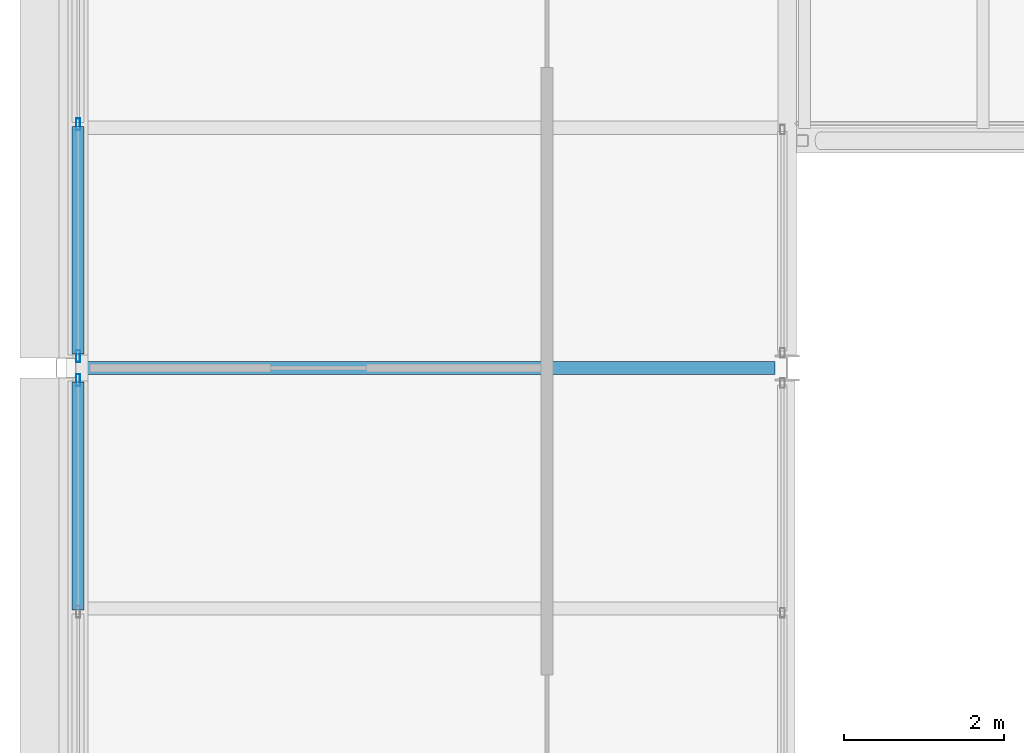
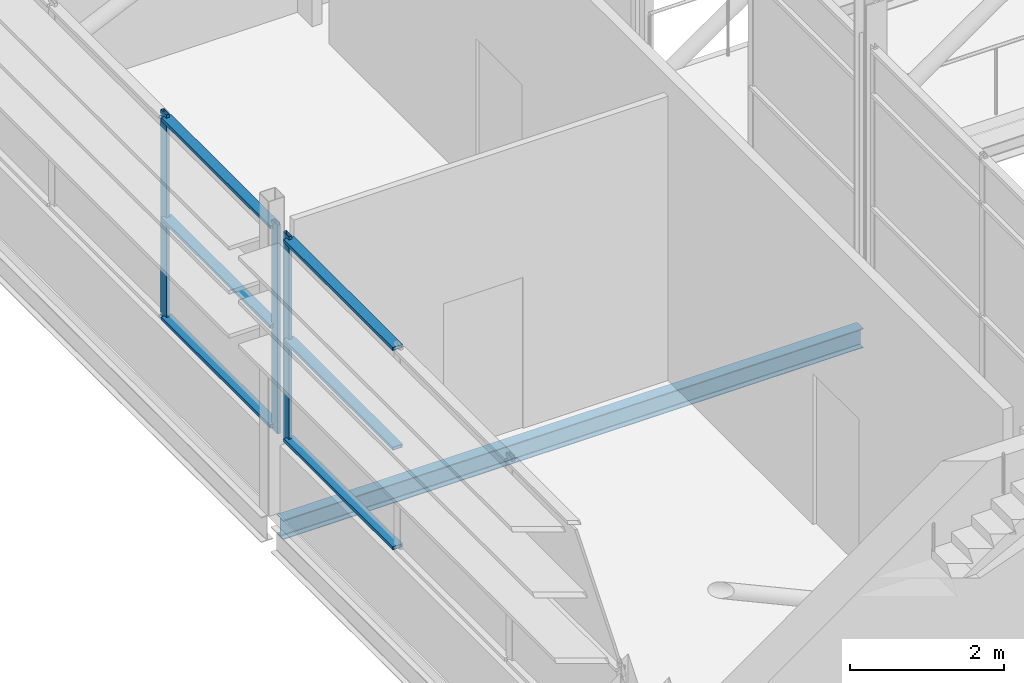
# One storey, part 19 of 94: 9 members, 1 beam, 2 elements without a shape of their own.
"""IFC4 building model written with IfcOpenShell, lengths in metres."""

from ifc_helpers import new_model, si_unit, direction, frame, origin, origin_2d, place, context, subcontext, project, spatial, hollow_rectangle, i_section, extrude, material, layer, layer_set, material_profile, profile_set, type_object, element, aggregate, save


model = new_model("IFC4")

# Units and contexts
model_context = context("Model", 3, precision=1e-05, world=origin(), true_north=direction((0.0, 1.0)))
body_context = subcontext(model_context, "Body", "Model", "MODEL_VIEW")
ifc_project = project(units=[si_unit("LENGTHUNIT", "METRE"), si_unit("AREAUNIT", "SQUARE_METRE"), si_unit("VOLUMEUNIT", "CUBIC_METRE"), si_unit("PLANEANGLEUNIT", "RADIAN"), si_unit("MASSUNIT", "GRAM", prefix="KILO")], contexts=[model_context])

# Site, building, storey
site_placement = place(None, origin())
site = spatial("IfcSite", under=ifc_project, at=site_placement, CompositionType="ELEMENT")
building_placement = place(site_placement, origin())
building = spatial("IfcBuilding", under=site, at=building_placement, Name="Shorebreak Coast Museum", CompositionType="ELEMENT")
storey_placement = place(building_placement, frame((0.0, 0.0, 31.0)))
storey = spatial("IfcBuildingStorey", under=building, at=storey_placement, Name="L05", CompositionType="ELEMENT", Elevation=31.0)

# Beam
ifc_material_1 = material(Name="Steel Grade 300", Category="steel")
ifc_material_profile_1 = material_profile(ifc_material_1, i_section(OverallWidth=0.166015625, OverallDepth=0.30712890625, WebThickness=0.006591796875, FlangeThickness=0.01171875, FilletRadius=0.011474609375, at=origin_2d()), Name="310UB46.2")
ifc_profile_set_1 = profile_set([ifc_material_profile_1], Name="Steel Grade 300")
beam_type = type_object("IfcBeamType", Name="Floor girder east-west 310UB46.2", PredefinedType="BEAM", material=ifc_profile_set_1)
beam_placement = place(storey_placement, frame((54.125, 72.0, -0.32861328125), z_axis=(1.0, 0.0, 0.0), x_axis=(0.0, 1.0, 0.0)))
element("IfcBeam", 1, at=beam_placement, inside=storey, type_object=beam_type, Name="Floor girder east-west L05 7J", PredefinedType="BEAM", context=body_context, shape_type="SweptSolid", body=[
    extrude(i_section(OverallWidth=0.166015625, OverallDepth=0.30712890625, WebThickness=0.006591796875, FlangeThickness=0.01171875, FilletRadius=0.011474609375, at=origin_2d()), origin(), (0.0, 0.0, 1.0), 8.721435546875),
])

# Curtain wall, member
ifc_material_2 = material(Name="Aluminium", Category="aluminium")
ifc_layer = layer(ifc_material_2, 0.14990234375)
ifc_layer_set = layer_set([ifc_layer], Name="Aluminium")
curtain_wall_type = type_object("IfcCurtainWallType", Name="Storefront curtain wall", PredefinedType="NOTDEFINED", material=ifc_layer_set)
curtain_wall_1_placement = place(storey_placement, origin())
curtain_wall_1 = element("IfcCurtainWall", 2, at=curtain_wall_1_placement, inside=storey, type_object=curtain_wall_type, Name="Atrium Hall glazing L05 W 18", PredefinedType="NOTDEFINED")
ifc_material_3 = material(Name="Aluminium", Category="aluminium")
ifc_material_profile_2 = material_profile(ifc_material_3, hollow_rectangle(XDim=0.050048828125, YDim=0.14990234375, WallThickness=0.00390625, at=origin_2d()), Name="AL 150x50 RHS")
ifc_profile_set_2 = profile_set([ifc_material_profile_2], Name="Aluminium")
member_type_1 = type_object("IfcMemberType", Name="Storefront mullion 50 x 150", PredefinedType="MULLION", material=ifc_profile_set_2)
member_1_placement = place(storey_placement, frame((54.14990234375, 71.85009765625, 1.10009765625), z_axis=(0.0, 0.0, 1.0), x_axis=(-1.0, 0.0, 0.0)))
member_1 = element("IfcMember", 3, at=member_1_placement, type_object=member_type_1, Name="CW5 mullion 4", PredefinedType="MULLION", context=body_context, shape_type="SweptSolid", body=[
    extrude(hollow_rectangle(XDim=0.050048828125, YDim=0.14990234375, WallThickness=0.00390625, at=origin_2d()), origin(), (0.0, 0.0, 1.0), 3.318603515625),
])

# Curtain wall, members
curtain_wall_2_placement = place(storey_placement, origin())
curtain_wall_2 = element("IfcCurtainWall", 4, at=curtain_wall_2_placement, inside=storey, type_object=curtain_wall_type, Name="Atrium Hall glazing L05 W 19", PredefinedType="NOTDEFINED")
member_2_placement = place(storey_placement, frame((54.14990234375, 72.14990234375, 1.10009765625), z_axis=(0.0, 0.0, 1.0), x_axis=(-1.0, 0.0, 0.0)))
member_2 = element("IfcMember", 5, at=member_2_placement, type_object=member_type_1, Name="CW5 mullion 1", PredefinedType="MULLION", context=body_context, shape_type="SweptSolid", body=[
    extrude(hollow_rectangle(XDim=0.050048828125, YDim=0.14990234375, WallThickness=0.00390625, at=origin_2d()), origin(), (0.0, 0.0, 1.0), 3.318603515625),
])
member_3_placement = place(storey_placement, frame((54.14990234375, 75.041748046875, 1.10009765625), z_axis=(0.0, 0.0, 1.0), x_axis=(-1.0, 0.0, 0.0)))
member_3 = element("IfcMember", 6, at=member_3_placement, type_object=member_type_1, Name="CW5 mullion 2", PredefinedType="MULLION", context=body_context, shape_type="SweptSolid", body=[
    extrude(hollow_rectangle(XDim=0.050048828125, YDim=0.14990234375, WallThickness=0.00390625, at=origin_2d()), origin(), (0.0, 0.0, 1.0), 3.318603515625),
])

# Member
ifc_material_4 = material(Name="Aluminium", Category="aluminium")
ifc_material_profile_3 = material_profile(ifc_material_4, hollow_rectangle(XDim=0.14990234375, YDim=0.050048828125, WallThickness=0.00390625, at=origin_2d()), Name="AL 50x150 RHS")
ifc_profile_set_3 = profile_set([ifc_material_profile_3], Name="Aluminium")
member_type_2 = type_object("IfcMemberType", Name="Storefront transom 150 x 50", PredefinedType="USERDEFINED", material=ifc_profile_set_3)
member_4_placement = place(storey_placement, frame((54.14990234375, 68.9833984375, 1.175048828125), z_axis=(0.0, 1.0, 0.0), x_axis=(-1.0, 0.0, 0.0)))
member_4 = element("IfcMember", 7, at=member_4_placement, type_object=member_type_2, Name="CW5 transom 3.1", ObjectType="TRANSOM", PredefinedType="USERDEFINED", context=body_context, shape_type="SweptSolid", body=[
    extrude(hollow_rectangle(XDim=0.14990234375, YDim=0.050048828125, WallThickness=0.00390625, at=origin_2d()), origin(), (0.0, 0.0, 1.0), 2.841552734375),
])

member_5_placement = place(storey_placement, frame((54.14990234375, 68.9833984375, 2.75927734375), z_axis=(0.0, 1.0, 0.0), x_axis=(-1.0, 0.0, 0.0)))
member_5 = element("IfcMember", 8, at=member_5_placement, type_object=member_type_2, Name="CW5 transom 3.2", ObjectType="TRANSOM", PredefinedType="USERDEFINED", context=body_context, shape_type="SweptSolid", body=[
    extrude(hollow_rectangle(XDim=0.14990234375, YDim=0.050048828125, WallThickness=0.00390625, at=origin_2d()), origin(), (0.0, 0.0, 1.0), 2.841552734375),
])

member_6_placement = place(storey_placement, frame((54.14990234375, 68.9833984375, 4.343505859375), z_axis=(0.0, 1.0, 0.0), x_axis=(-1.0, 0.0, 0.0)))
member_6 = element("IfcMember", 9, at=member_6_placement, type_object=member_type_2, Name="CW5 transom 3.3", ObjectType="TRANSOM", PredefinedType="USERDEFINED", context=body_context, shape_type="SweptSolid", body=[
    extrude(hollow_rectangle(XDim=0.14990234375, YDim=0.050048828125, WallThickness=0.00390625, at=origin_2d()), origin(), (0.0, 0.0, 1.0), 2.841552734375),
])

aggregate(curtain_wall_1, [member_1, member_4, member_5, member_6])

member_7_placement = place(storey_placement, frame((54.14990234375, 72.175048828125, 1.175048828125), z_axis=(0.0, 1.0, 0.0), x_axis=(-1.0, 0.0, 0.0)))
member_7 = element("IfcMember", 10, at=member_7_placement, type_object=member_type_2, Name="CW5 transom 1.1", ObjectType="TRANSOM", PredefinedType="USERDEFINED", context=body_context, shape_type="SweptSolid", body=[
    extrude(hollow_rectangle(XDim=0.14990234375, YDim=0.050048828125, WallThickness=0.00390625, at=origin_2d()), origin(), (0.0, 0.0, 1.0), 2.841552734375),
])

member_8_placement = place(storey_placement, frame((54.14990234375, 72.175048828125, 2.75927734375), z_axis=(0.0, 1.0, 0.0), x_axis=(-1.0, 0.0, 0.0)))
member_8 = element("IfcMember", 11, at=member_8_placement, type_object=member_type_2, Name="CW5 transom 1.2", ObjectType="TRANSOM", PredefinedType="USERDEFINED", context=body_context, shape_type="SweptSolid", body=[
    extrude(hollow_rectangle(XDim=0.14990234375, YDim=0.050048828125, WallThickness=0.00390625, at=origin_2d()), origin(), (0.0, 0.0, 1.0), 2.841552734375),
])

member_9_placement = place(storey_placement, frame((54.14990234375, 72.175048828125, 4.343505859375), z_axis=(0.0, 1.0, 0.0), x_axis=(-1.0, 0.0, 0.0)))
member_9 = element("IfcMember", 12, at=member_9_placement, type_object=member_type_2, Name="CW5 transom 1.3", ObjectType="TRANSOM", PredefinedType="USERDEFINED", context=body_context, shape_type="SweptSolid", body=[
    extrude(hollow_rectangle(XDim=0.14990234375, YDim=0.050048828125, WallThickness=0.00390625, at=origin_2d()), origin(), (0.0, 0.0, 1.0), 2.841552734375),
])

aggregate(curtain_wall_2, [member_2, member_3, member_7, member_8, member_9])

save(model, "model.ifc")
